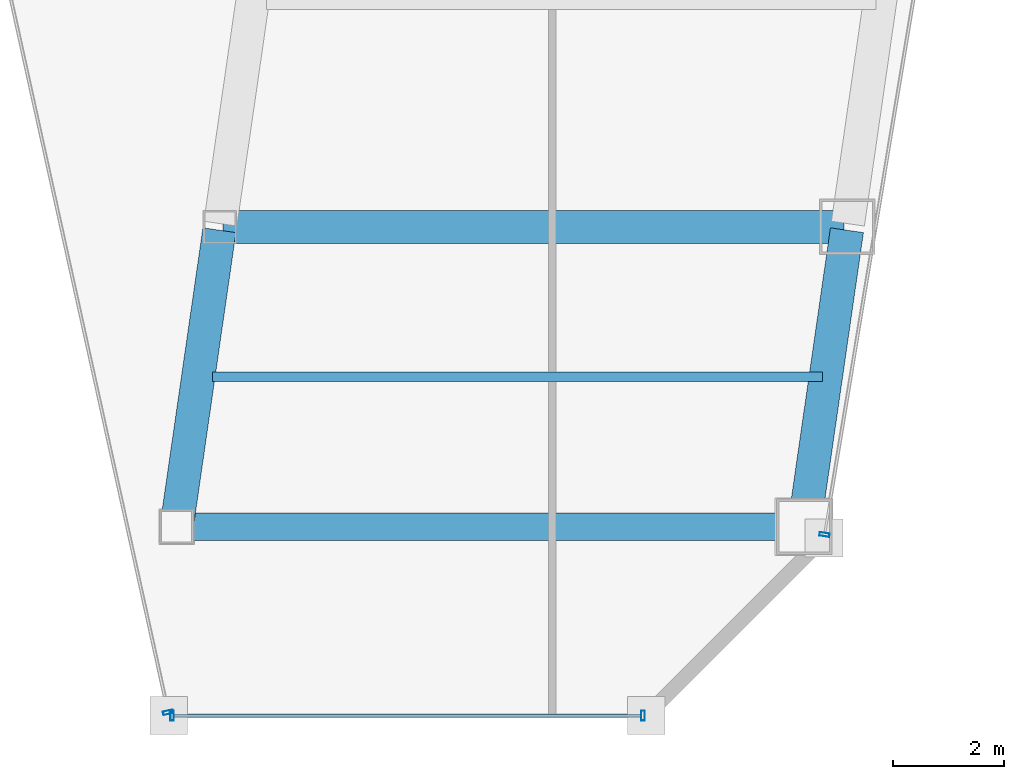
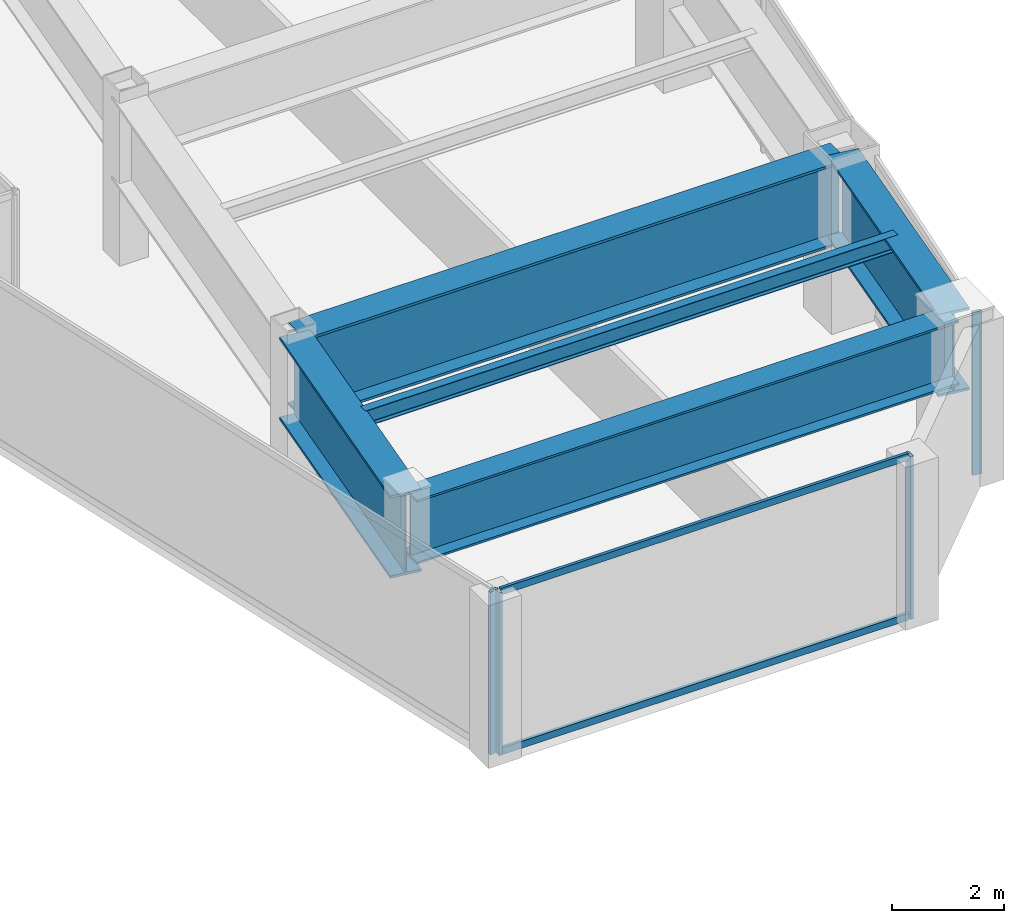
# One storey, part 14 of 37: 6 members, 5 beams, 3 elements without a shape of their own.
"""IFC4 building model written with IfcOpenShell, lengths in metres."""

import ifcopenshell
import ifcopenshell.guid

model = None  # the IFC model being written
_history = None  # IfcOwnerHistory: only IFC2X3 demands one
_inside = {}  # id of a spatial element -> (the spatial element, [elements in it])
_under = {}  # id of a project, library or spatial element -> (it, [spatial elements below it])
_declared = {}  # id of a project -> (the project, [libraries it declares])
_typed = {}  # id of a type object -> (the type object, [elements of that type])
_made_of = {}  # id of a material, layer set ... -> (it, [elements and type objects made of it])


def new_model(schema):
    """Start an empty IFC model of exactly this schema.

    Asked for "IFC4X3", IfcOpenShell would pick the latest addendum, in which some entities
    have other attributes; the version numbers below select the first issue.
    IFC2X3 requires an IfcOwnerHistory on every rooted entity: one is made here for all.
    """
    global model, _history
    if schema == "IFC4X3":
        model = ifcopenshell.file(schema_version=(4, 3, 0, 0))
    else:
        model = ifcopenshell.file(schema=schema)
    _inside.clear()
    _under.clear()
    _declared.clear()
    _typed.clear()
    _made_of.clear()
    _history = None
    if model.schema == "IFC2X3":
        org = make("IfcOrganization", Name="unknown")
        user = make(
            "IfcPersonAndOrganization",
            ThePerson=make("IfcPerson", FamilyName="unknown"),
            TheOrganization=org,
        )
        app = make(
            "IfcApplication",
            ApplicationDeveloper=org,
            Version="unknown",
            ApplicationFullName="unknown",
            ApplicationIdentifier="unknown",
        )
        _history = make(
            "IfcOwnerHistory",
            OwningUser=user,
            OwningApplication=app,
            ChangeAction="ADDED",
            CreationDate=0,
        )
    return model


def make(cls, **values):
    """One entity of the class cls with the attributes given. An attribute that is None is left unset."""
    return model.create_entity(
        cls, **{name: value for name, value in values.items() if value is not None}
    )


def rooted(cls, **values):
    """An entity with a GlobalId (a new one), such as an element, a storey or a relation."""
    return make(cls, GlobalId=ifcopenshell.guid.new(), OwnerHistory=_history, **values)


def si_unit(unit_type, name, prefix=None):
    """IfcSIUnit, for example si_unit("LENGTHUNIT", "METRE", prefix="MILLI")."""
    return make("IfcSIUnit", UnitType=unit_type, Prefix=prefix, Name=name)


def assignment(units):
    """IfcUnitAssignment: the units of a project."""
    return None if units is None else make("IfcUnitAssignment", Units=units)


def point(xyz):
    """IfcCartesianPoint."""
    return None if xyz is None else make("IfcCartesianPoint", Coordinates=xyz)


def direction(xyz):
    """IfcDirection."""
    return None if xyz is None else make("IfcDirection", DirectionRatios=xyz)


def frame(location, z_axis=None, x_axis=None):
    """IfcAxis2Placement3D, a coordinate frame: its origin and axes. An axis left out is left unset."""
    return make(
        "IfcAxis2Placement3D",
        Location=point(location),
        Axis=direction(z_axis),
        RefDirection=direction(x_axis),
    )


def frame_2d(location, x_axis=None):
    """IfcAxis2Placement2D, a coordinate frame in the plane: its origin and x axis."""
    return make(
        "IfcAxis2Placement2D", Location=point(location), RefDirection=direction(x_axis)
    )


def origin():
    """The frame at (0, 0, 0) with its axes left unset."""
    return frame((0.0, 0.0, 0.0))


def origin_2d():
    """The frame at (0, 0) in the plane with its x axis left unset."""
    return frame_2d((0.0, 0.0))


def place(relative_to, where):
    """IfcLocalPlacement: puts the frame where relative to a parent placement (None: the world)."""
    return make(
        "IfcLocalPlacement", PlacementRelTo=relative_to, RelativePlacement=where
    )


def context(
    kind, dimensions, precision=None, world=None, true_north=None, identifier=None
):
    """IfcGeometricRepresentationContext, for example the 3D "Model" context."""
    return make(
        "IfcGeometricRepresentationContext",
        ContextIdentifier=identifier,
        ContextType=kind,
        CoordinateSpaceDimension=dimensions,
        Precision=precision,
        WorldCoordinateSystem=world,
        TrueNorth=true_north,
    )


def subcontext(parent, identifier, kind, view, scale=None):
    """IfcGeometricRepresentationSubContext, for example "Body" below "Model"."""
    return make(
        "IfcGeometricRepresentationSubContext",
        ContextIdentifier=identifier,
        ContextType=kind,
        ParentContext=parent,
        TargetScale=scale,
        TargetView=view,
    )


def project(units=None, contexts=None):
    """IfcProject with its units and contexts."""
    return rooted(
        "IfcProject",
        Name="project",
        RepresentationContexts=contexts,
        UnitsInContext=assignment(units),
    )


def spatial(cls, under=None, at=None, **own):
    """A site, building, storey or space (cls), placed at a placement, below another one or the project."""
    s = rooted(cls, ObjectPlacement=at, **own)
    if under is not None:
        _under.setdefault(under.id(), (under, []))[1].append(s)
    return s


def profile(cls, at=None, kind="AREA", **sizes):
    """A parametric profile (cls). Its sizes go by their IFC names, for example OverallWidth=200.0."""
    return make(cls, ProfileType=kind, Position=at, **sizes)


def hollow_rectangle(**sizes):
    """IfcRectangleHollowProfileDef."""
    return profile("IfcRectangleHollowProfileDef", **sizes)


def i_section(**sizes):
    """IfcIShapeProfileDef."""
    return profile("IfcIShapeProfileDef", **sizes)


def extrude(swept, where, along, depth):
    """IfcExtrudedAreaSolid: the profile swept, set in the frame where, extruded along a direction by depth."""
    return make(
        "IfcExtrudedAreaSolid",
        SweptArea=swept,
        Position=where,
        ExtrudedDirection=direction(along),
        Depth=depth,
    )


def shape(context_of_items, identifier, shape_type, items):
    """IfcShapeRepresentation: the items that make up one representation, for example the "Body"."""
    return make(
        "IfcShapeRepresentation",
        ContextOfItems=context_of_items,
        RepresentationIdentifier=identifier,
        RepresentationType=shape_type,
        Items=items,
    )


def material(Name=None, Category=None):
    """IfcMaterial."""
    return make("IfcMaterial", Name=Name, Category=Category)


def material_profile(
    of_material, cross_section, Name=None, Category=None, Priority=None
):
    """IfcMaterialProfile: a cross section and its material."""
    return make(
        "IfcMaterialProfile",
        Name=Name,
        Material=of_material,
        Profile=cross_section,
        Priority=Priority,
        Category=Category,
    )


def profile_set(profiles, Name=None, composite=None):
    """IfcMaterialProfileSet."""
    return make(
        "IfcMaterialProfileSet",
        Name=Name,
        MaterialProfiles=profiles,
        CompositeProfile=composite,
    )


def made_of(thing, what):
    """Note that an element or type object is made of a material, layer set ...; save() writes the relation."""
    if what is not None:
        _made_of.setdefault(what.id(), (what, []))[1].append(thing)
    return thing


def type_object(cls, material=None, **own):
    """A type object (cls), such as IfcWallType, which elements share."""
    return made_of(rooted(cls, **own), material)


def element(
    cls,
    number,
    at=None,
    inside=None,
    cuts=None,
    type_object=None,
    material=None,
    context=None,
    identifier="Body",
    shape_type=None,
    held_by="IfcProductDefinitionShape",
    body=None,
    shapes=None,
    **own,
):
    """One element of the class cls, such as IfcWall. Its Tag is "e" and its number.

    at: its placement. inside: the storey or other place that contains it. cuts: it is an
    opening in that element (IfcRelVoidsElement). A single representation is given by context,
    identifier, shape_type and body (its items); several are given by shapes. held_by: the class
    of the entity that holds the representations. save() writes the other relations.
    """
    e = rooted(cls, Tag="e%d" % number, ObjectPlacement=at, **own)
    if body is not None:
        shapes = [shape(context, identifier, shape_type, body)]
    if shapes is not None:
        e.Representation = make(held_by, Representations=shapes)
    if inside is not None:
        _inside.setdefault(inside.id(), (inside, []))[1].append(e)
    if cuts is not None:
        rooted(
            "IfcRelVoidsElement", RelatingBuildingElement=cuts, RelatedOpeningElement=e
        )
    if type_object is not None:
        _typed.setdefault(type_object.id(), (type_object, []))[1].append(e)
    return made_of(e, material)


def aggregate(whole, parts):
    """IfcRelAggregates: a whole, such as a stair, and the parts it consists of."""
    return rooted("IfcRelAggregates", RelatingObject=whole, RelatedObjects=parts)


def save(model, path):
    """Write the relations noted so far, then the file.

    IfcRelAggregates (storeys below a building ...), IfcRelContainedInSpatialStructure (elements
    in a storey), IfcRelDefinesByType, IfcRelAssociatesMaterial and IfcRelDeclares: one each for
    every whole, place, type object, material and project.
    """
    for whole, parts in _under.values():
        aggregate(whole, parts)
    for where, things in _inside.values():
        rooted(
            "IfcRelContainedInSpatialStructure",
            RelatedElements=things,
            RelatingStructure=where,
        )
    for kind, things in _typed.values():
        rooted("IfcRelDefinesByType", RelatedObjects=things, RelatingType=kind)
    for what, things in _made_of.values():
        rooted("IfcRelAssociatesMaterial", RelatedObjects=things, RelatingMaterial=what)
    for by, libraries in _declared.values():
        rooted("IfcRelDeclares", RelatingContext=by, RelatedDefinitions=libraries)
    model.write(path)


model = new_model("IFC4")

# Units and contexts
model_context = context("Model", 3, precision=1e-05, world=origin(), true_north=direction((0.0, 1.0)))
body_context = subcontext(model_context, "Body", "Model", "MODEL_VIEW")
ifc_project = project(units=[si_unit("LENGTHUNIT", "METRE"), si_unit("AREAUNIT", "SQUARE_METRE"), si_unit("VOLUMEUNIT", "CUBIC_METRE"), si_unit("PLANEANGLEUNIT", "RADIAN"), si_unit("MASSUNIT", "GRAM", prefix="KILO")], contexts=[model_context])

# Site, building, storey
site_placement = place(None, origin())
site = spatial("IfcSite", under=ifc_project, at=site_placement, CompositionType="ELEMENT")
building_placement = place(site_placement, origin())
building = spatial("IfcBuilding", under=site, at=building_placement, Name="Saevonmaru Cultural Tower", CompositionType="ELEMENT")
storey_placement = place(building_placement, frame((0.0, 0.0, 163.800048828125)))
storey = spatial("IfcBuildingStorey", under=building, at=storey_placement, Name="L36", CompositionType="ELEMENT", Elevation=163.800048828125)

# Beams
ifc_material_1 = material(Name="Steel SM355", Category="steel")
ifc_material_profile_1 = material_profile(ifc_material_1, i_section(OverallWidth=0.175048828125, OverallDepth=0.35009765625, WebThickness=0.007080078125, FlangeThickness=0.010986328125, FilletRadius=0.012939453125, at=origin_2d()), Name="H-350x175x7x11")
ifc_profile_set_1 = profile_set([ifc_material_profile_1], Name="Steel SM355")
beam_type_1 = type_object("IfcBeamType", Name="BM-J-H350", PredefinedType="JOIST", material=ifc_profile_set_1)
beam_1_placement = place(storey_placement, frame((37.93994140625, 13.300048828125, 3.375), z_axis=(1.0, 0.0, 0.0), x_axis=(0.0, 1.0, 0.0)))
element("IfcBeam", 1, at=beam_1_placement, inside=storey, type_object=beam_type_1, Name="L36 East Wing Floor Joist 1", PredefinedType="JOIST", context=body_context, shape_type="SweptSolid", body=[
    extrude(i_section(OverallWidth=0.175048828125, OverallDepth=0.35009765625, WebThickness=0.007080078125, FlangeThickness=0.010986328125, FilletRadius=0.012939453125, at=origin_2d()), origin(), (0.0, 0.0, 1.0), 10.982177734375),
])
ifc_material_2 = material(Name="Steel HSA600 (600 MPa)", Category="steel")
ifc_material_profile_2 = material_profile(ifc_material_2, i_section(OverallWidth=0.5, OverallDepth=1.39990234375, WebThickness=0.02392578125, FlangeThickness=0.044921875, at=origin_2d()), Name="PG-1400x500x24x45")
ifc_profile_set_2 = profile_set([ifc_material_profile_2], Name="Steel HSA600 (600 MPa)")
beam_type_2 = type_object("IfcBeamType", Name="BM-TG-PG1400", PredefinedType="BEAM", material=ifc_profile_set_2)
beam_2_placement = place(storey_placement, frame((37.35205078125, 10.60009765625, 2.849853515625), z_axis=(1.0, 0.0, 0.0), x_axis=(0.0, 1.0, 0.0)))
element("IfcBeam", 2, at=beam_2_placement, inside=storey, type_object=beam_type_2, Name="L36 East Wing Transverse Girder 1", PredefinedType="BEAM", context=body_context, shape_type="SweptSolid", body=[
    extrude(i_section(OverallWidth=0.5, OverallDepth=1.39990234375, WebThickness=0.02392578125, FlangeThickness=0.044921875, at=origin_2d()), origin(), (0.0, 0.0, 1.0), 11.179931640625),
])
ifc_material_profile_3 = material_profile(ifc_material_2, i_section(OverallWidth=0.60009765625, OverallDepth=1.800048828125, WebThickness=0.028076171875, FlangeThickness=0.054931640625, at=origin_2d()), Name="PG-1800x600x28x55")
ifc_profile_set_3 = profile_set([ifc_material_profile_3], Name="Steel HSA600 (600 MPa)")
beam_type_3 = type_object("IfcBeamType", Name="BM-TG-PG1800", PredefinedType="BEAM", material=ifc_profile_set_3)
beam_3_placement = place(storey_placement, frame((37.300537109375, 10.659423828125, 2.64990234375), z_axis=(0.142977693794, 0.989725911087, 0.0), x_axis=(-0.989725911087, 0.142977693794, 0.0)))
element("IfcBeam", 3, at=beam_3_placement, inside=storey, type_object=beam_type_3, Name="L36 East Atrium Girder 1", PredefinedType="BEAM", context=body_context, shape_type="SweptSolid", body=[
    extrude(i_section(OverallWidth=0.60009765625, OverallDepth=1.800048828125, WebThickness=0.028076171875, FlangeThickness=0.054931640625, at=origin_2d()), origin(), (0.0, 0.0, 1.0), 5.336181640625),
])
beam_4_placement = place(storey_placement, frame((38.132080078125, 16.0, 2.64990234375), z_axis=(1.0, 0.0, 0.0), x_axis=(0.0, 1.0, 0.0)))
element("IfcBeam", 4, at=beam_4_placement, inside=storey, type_object=beam_type_3, Name="L36 East Wing Transverse Girder 2", PredefinedType="BEAM", context=body_context, shape_type="SweptSolid", body=[
    extrude(i_section(OverallWidth=0.60009765625, OverallDepth=1.800048828125, WebThickness=0.028076171875, FlangeThickness=0.054931640625, at=origin_2d()), origin(), (0.0, 0.0, 1.0), 11.179931640625),
])
ifc_material_profile_4 = material_profile(ifc_material_2, i_section(OverallWidth=0.60009765625, OverallDepth=1.800048828125, WebThickness=0.028076171875, FlangeThickness=0.054931640625, at=origin_2d()), Name="PG-1800x600x28x55")
ifc_profile_set_4 = profile_set([ifc_material_profile_4], Name="Steel HSA600 (600 MPa)")
beam_type_4 = type_object("IfcBeamType", Name="BM-TG-PG1800-EXT", PredefinedType="SPANDREL", material=ifc_profile_set_4)
beam_5_placement = place(storey_placement, frame((48.6005859375, 10.659423828125, 2.64990234375), z_axis=(0.1429328758, 0.989732384544, 0.0), x_axis=(-0.989732384544, 0.1429328758, 0.0)))
element("IfcBeam", 5, at=beam_5_placement, inside=storey, type_object=beam_type_4, Name="L36 East Splayed Spandrel 1", PredefinedType="SPANDREL", context=body_context, shape_type="SweptSolid", body=[
    extrude(i_section(OverallWidth=0.60009765625, OverallDepth=1.800048828125, WebThickness=0.028076171875, FlangeThickness=0.054931640625, at=origin_2d()), origin(), (0.0, 0.0, 1.0), 5.3359375),
])

# Curtain wall, member
ifc_material_3 = material(Name="Satin Bronze Anodised Aluminium", Category="aluminium")
curtain_wall_type = type_object("IfcCurtainWallType", Name="CW-TYP-A", PredefinedType="NOTDEFINED", material=ifc_material_3)
curtain_wall_1_placement = place(storey_placement, origin())
curtain_wall_1 = element("IfcCurtainWall", 6, at=curtain_wall_1_placement, inside=storey, type_object=curtain_wall_type, Name="L36 Unitised Curtain Wall E5", PredefinedType="NOTDEFINED")
ifc_material_profile_5 = material_profile(ifc_material_3, hollow_rectangle(XDim=0.06494140625, YDim=0.179931640625, WallThickness=0.00390625, at=origin_2d()), Name="ALU-MULL-180x65x4")
ifc_profile_set_5 = profile_set([ifc_material_profile_5], Name="Satin Bronze Anodised Aluminium")
member_type_1 = type_object("IfcMemberType", Name="ML-CW-180x65", PredefinedType="MULLION", material=ifc_profile_set_5)
member_1_placement = place(storey_placement, frame((37.13818359375, 7.258544921875, 0.0), z_axis=(0.0, 0.0, 1.0), x_axis=(0.215413319953, -0.976522965212, 0.0)))
member_1 = element("IfcMember", 7, at=member_1_placement, type_object=member_type_1, Name="CW-TW-L36-E5 mullion 2", PredefinedType="MULLION", context=body_context, shape_type="SweptSolid", body=[
    extrude(hollow_rectangle(XDim=0.06494140625, YDim=0.179931640625, WallThickness=0.00390625, at=origin_2d()), origin(), (0.0, 0.0, 1.0), 3.550048828125),
])
aggregate(curtain_wall_1, [member_1])

# Curtain wall, members
curtain_wall_2_placement = place(storey_placement, origin())
curtain_wall_2 = element("IfcCurtainWall", 8, at=curtain_wall_2_placement, inside=storey, type_object=curtain_wall_type, Name="L36 Unitised Curtain Wall E6", PredefinedType="NOTDEFINED")
member_2_placement = place(storey_placement, frame((37.211181640625, 7.199951171875, 0.0), z_axis=(0.0, 0.0, 1.0), x_axis=(1.0, 0.0, 0.0)))
member_2 = element("IfcMember", 9, at=member_2_placement, type_object=member_type_1, Name="CW-TW-L36-E6 mullion 1", PredefinedType="MULLION", context=body_context, shape_type="SweptSolid", body=[
    extrude(hollow_rectangle(XDim=0.06494140625, YDim=0.179931640625, WallThickness=0.00390625, at=origin_2d()), origin(), (0.0, 0.0, 1.0), 3.550048828125),
])
member_3_placement = place(storey_placement, frame((45.691162109375, 7.199951171875, 0.0), z_axis=(0.0, 0.0, 1.0), x_axis=(1.0, 0.0, 0.0)))
member_3 = element("IfcMember", 10, at=member_3_placement, type_object=member_type_1, Name="CW-TW-L36-E6 mullion 2", PredefinedType="MULLION", context=body_context, shape_type="SweptSolid", body=[
    extrude(hollow_rectangle(XDim=0.06494140625, YDim=0.179931640625, WallThickness=0.00390625, at=origin_2d()), origin(), (0.0, 0.0, 1.0), 3.550048828125),
])

# Curtain wall, member
curtain_wall_3_placement = place(storey_placement, origin())
curtain_wall_3 = element("IfcCurtainWall", 11, at=curtain_wall_3_placement, inside=storey, type_object=curtain_wall_type, Name="L36 Unitised Curtain Wall E8", PredefinedType="NOTDEFINED")
member_4_placement = place(storey_placement, frame((48.9609375, 10.459228515625, 0.0), z_axis=(0.0, 0.0, 1.0), x_axis=(0.163998702345, 0.986460554523, 0.0)))
member_4 = element("IfcMember", 12, at=member_4_placement, type_object=member_type_1, Name="CW-TW-L36-E8 mullion 1", PredefinedType="MULLION", context=body_context, shape_type="SweptSolid", body=[
    extrude(hollow_rectangle(XDim=0.06494140625, YDim=0.179931640625, WallThickness=0.00390625, at=origin_2d()), origin(), (0.0, 0.0, 1.0), 3.550048828125),
])
aggregate(curtain_wall_3, [member_4])

# Member
ifc_material_profile_6 = material_profile(ifc_material_3, hollow_rectangle(XDim=0.06494140625, YDim=0.14990234375, WallThickness=0.00390625, at=origin_2d()), Name="ALU-TRAN-150x65x4")
ifc_profile_set_6 = profile_set([ifc_material_profile_6], Name="Satin Bronze Anodised Aluminium")
member_type_2 = type_object("IfcMemberType", Name="TR-CW-150x65", PredefinedType="USERDEFINED", material=ifc_profile_set_6)
member_5_placement = place(storey_placement, frame((37.24365234375, 7.199951171875, 0.032470703125), z_axis=(1.0, 0.0, 0.0), x_axis=(0.0, 1.0, 0.0)))
member_5 = element("IfcMember", 13, at=member_5_placement, type_object=member_type_2, Name="CW-TW-L36-E6 transom 1.1", ObjectType="TRANSOM", PredefinedType="USERDEFINED", context=body_context, shape_type="SweptSolid", body=[
    extrude(hollow_rectangle(XDim=0.06494140625, YDim=0.14990234375, WallThickness=0.00390625, at=origin_2d()), origin(), (0.0, 0.0, 1.0), 8.4150390625),
])

member_6_placement = place(storey_placement, frame((37.24365234375, 7.199951171875, 3.517333984375), z_axis=(1.0, 0.0, 0.0), x_axis=(0.0, 1.0, 0.0)))
member_6 = element("IfcMember", 14, at=member_6_placement, type_object=member_type_2, Name="CW-TW-L36-E6 transom 1.2", ObjectType="TRANSOM", PredefinedType="USERDEFINED", context=body_context, shape_type="SweptSolid", body=[
    extrude(hollow_rectangle(XDim=0.06494140625, YDim=0.14990234375, WallThickness=0.00390625, at=origin_2d()), origin(), (0.0, 0.0, 1.0), 8.4150390625),
])

aggregate(curtain_wall_2, [member_2, member_3, member_5, member_6])

save(model, "model.ifc")
